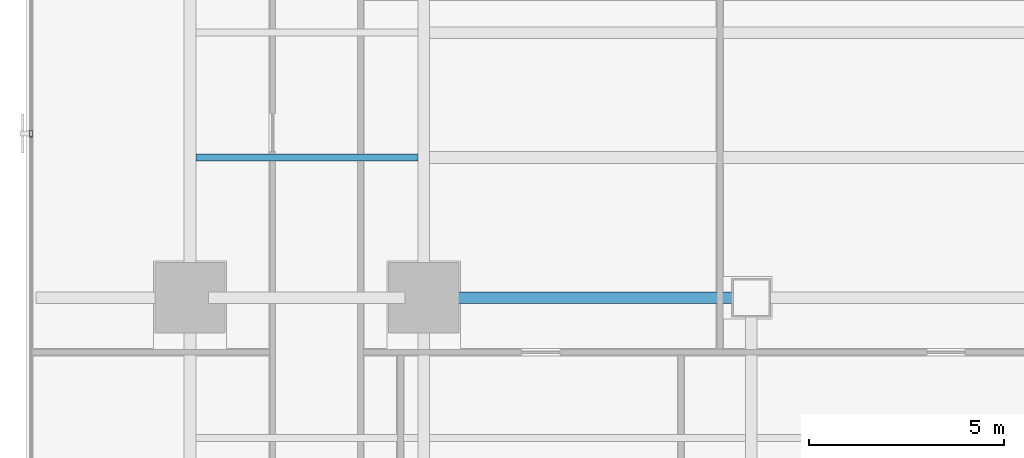
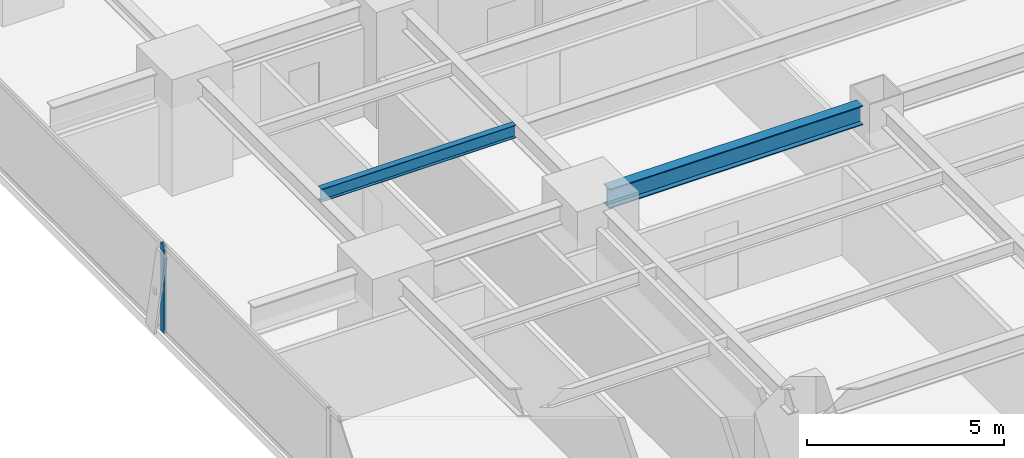
# One storey, part 9 of 32: 2 beams, 1 member, 1 element without a shape of its own.
"""IFC4 building model written with IfcOpenShell, lengths in metres."""

from ifc_helpers import new_model, si_unit, direction, frame, origin, origin_2d, place, context, subcontext, project, spatial, hollow_rectangle, i_section, extrude, source, transform, mapped, material, layer, layer_set, material_profile, profile_set, type_object, element, aggregate, save


model = new_model("IFC4")

# Units and contexts
model_context = context("Model", 3, precision=1e-05, world=origin(), true_north=direction((0.0, 1.0)))
body_context = subcontext(model_context, "Body", "Model", "MODEL_VIEW")
ifc_project = project(units=[si_unit("LENGTHUNIT", "METRE"), si_unit("AREAUNIT", "SQUARE_METRE"), si_unit("VOLUMEUNIT", "CUBIC_METRE"), si_unit("PLANEANGLEUNIT", "RADIAN"), si_unit("MASSUNIT", "GRAM", prefix="KILO")], contexts=[model_context])

# Site, building, storey
site_placement = place(None, origin())
site = spatial("IfcSite", under=ifc_project, at=site_placement, CompositionType="ELEMENT")
building_placement = place(site_placement, origin())
building = spatial("IfcBuilding", under=site, at=building_placement, Name="Sumidabori Civic Tower", CompositionType="ELEMENT")
storey_placement = place(building_placement, frame((0.0, 0.0, 48.800048828125)))
storey = spatial("IfcBuildingStorey", under=building, at=storey_placement, Name="L12", CompositionType="ELEMENT", Elevation=48.800048828125)

# Beams
ifc_material_1 = material(Name="Steel SN490", Category="steel")
ifc_material_profile_1 = material_profile(ifc_material_1, i_section(OverallWidth=0.300048828125, OverallDepth=0.60009765625, WebThickness=0.015380859375, FlangeThickness=0.030029296875, at=origin_2d()), Name="HE 600 B")
ifc_profile_set_1 = profile_set([ifc_material_profile_1], Name="Steel SN490")
beam_type_1 = type_object("IfcBeamType", Name="BM-GIRD-600", PredefinedType="BEAM", material=ifc_profile_set_1)
shared_shape_1 = source(origin(), body_context, "Body", "SweptSolid", [
    extrude(i_section(OverallWidth=0.300048828125, OverallDepth=0.60009765625, WebThickness=0.015380859375, FlangeThickness=0.030029296875, at=origin_2d()), origin(), (0.0, 0.0, 1.0), 7.440185546875),
])
beam_1_placement = place(storey_placement, frame((-16.320068359375, 0.0, 3.06005859375), z_axis=(1.0, 0.0, 0.0), x_axis=(0.0, 1.0, 0.0)))
element("IfcBeam", 1, at=beam_1_placement, inside=storey, type_object=beam_type_1, Name="Primary Girder L12 GX-14", PredefinedType="BEAM", context=body_context, shape_type="MappedRepresentation", body=[
    mapped(shared_shape_1, transform((0.0, 0.0, 0.0), x_axis=(1.0, 0.0, 0.0), y_axis=(0.0, 1.0, 0.0), z_axis=(0.0, 0.0, 1.0), scale=1.0)),
])
ifc_material_profile_2 = material_profile(ifc_material_1, i_section(OverallWidth=0.179931640625, OverallDepth=0.39990234375, WebThickness=0.008544921875, FlangeThickness=0.013427734375, at=origin_2d()), Name="IPE 400")
ifc_profile_set_2 = profile_set([ifc_material_profile_2], Name="Steel SN490")
beam_type_2 = type_object("IfcBeamType", Name="BM-JST-400", PredefinedType="JOIST", material=ifc_profile_set_2)
shared_shape_2 = source(origin(), body_context, "Body", "SweptSolid", [
    extrude(i_section(OverallWidth=0.179931640625, OverallDepth=0.39990234375, WebThickness=0.008544921875, FlangeThickness=0.013427734375, at=origin_2d()), origin(), (0.0, 0.0, 1.0), 5.699951171875),
])
beam_2_placement = place(storey_placement, frame((-22.64990234375, 3.60009765625, 3.159912109375), z_axis=(1.0, 0.0, 0.0), x_axis=(0.0, 1.0, 0.0)))
element("IfcBeam", 2, at=beam_2_placement, inside=storey, type_object=beam_type_2, Name="Outer Bay Floor Joist L12 JSTO-53", PredefinedType="JOIST", context=body_context, shape_type="MappedRepresentation", body=[
    mapped(shared_shape_2, transform((0.0, 0.0, 0.0), x_axis=(1.0, 0.0, 0.0), y_axis=(0.0, 1.0, 0.0), z_axis=(0.0, 0.0, 1.0), scale=1.0)),
])

# Curtain wall, member
ifc_material_2 = material(Name="Anodised Bronze Aluminium AW-6063-T6", Category="aluminium")
ifc_layer = layer(ifc_material_2, 0.179931640625, Name="Anodised Bronze Aluminium AW-6063-T6")
ifc_layer_set = layer_set([ifc_layer], Name="Anodised Bronze Aluminium AW-6063-T6")
curtain_wall_type = type_object("IfcCurtainWallType", Name="CW-SYS-2", PredefinedType="NOTDEFINED", material=ifc_layer_set)
curtain_wall_placement = place(storey_placement, origin())
curtain_wall = element("IfcCurtainWall", 3, at=curtain_wall_placement, inside=storey, type_object=curtain_wall_type, Name="Curtain Wall CW:L12:R10", PredefinedType="NOTDEFINED")
ifc_material_profile_3 = material_profile(ifc_material_2, hollow_rectangle(XDim=0.070068359375, YDim=0.179931640625, WallThickness=0.006103515625, at=origin_2d()), Name="ALU MULLION 180x70")
ifc_profile_set_3 = profile_set([ifc_material_profile_3], Name="Anodised Bronze Aluminium AW-6063-T6")
member_type = type_object("IfcMemberType", Name="CW-MUL-180", PredefinedType="MULLION", material=ifc_profile_set_3)
shared_shape_3 = source(origin(), body_context, "Body", "SweptSolid", [
    extrude(hollow_rectangle(XDim=0.070068359375, YDim=0.179931640625, WallThickness=0.006103515625, at=origin_2d()), origin(), (0.0, 0.0, 1.0), 2.739990234375),
])
member_placement = place(storey_placement, frame((-26.8798828125, 4.214111328125, 0.0), z_axis=(0.0, 0.0, 1.0), x_axis=(1.0, 0.0, 0.0)))
member = element("IfcMember", 4, at=member_placement, type_object=member_type, Name="CW-2 mullion 3", PredefinedType="MULLION", context=body_context, shape_type="MappedRepresentation", body=[
    mapped(shared_shape_3, transform((0.0, 0.0, 0.0), x_axis=(1.0, 0.0, 0.0), y_axis=(0.0, 1.0, 0.0), z_axis=(0.0, 0.0, 1.0), scale=1.0)),
])
aggregate(curtain_wall, [member])

save(model, "model.ifc")
